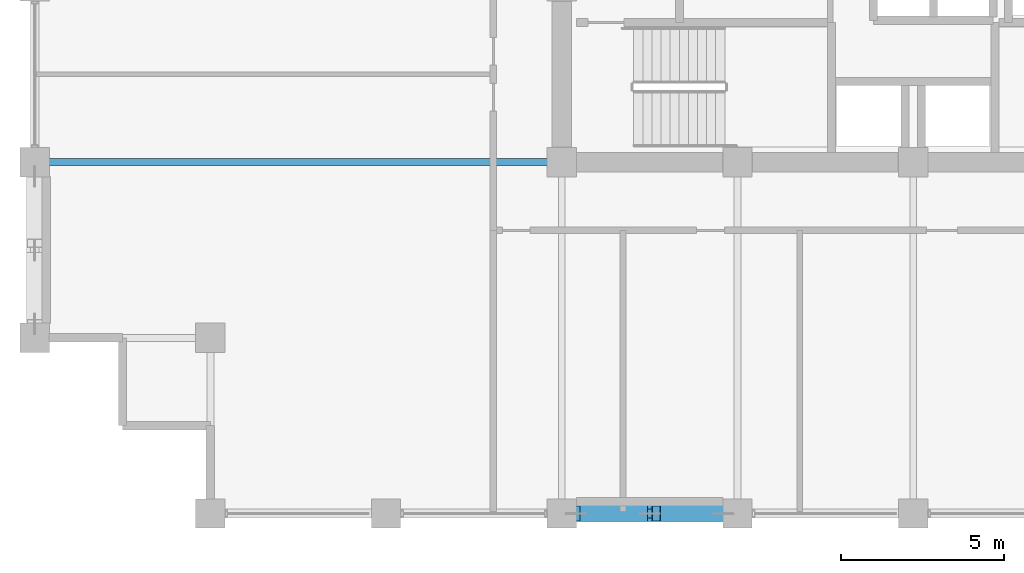
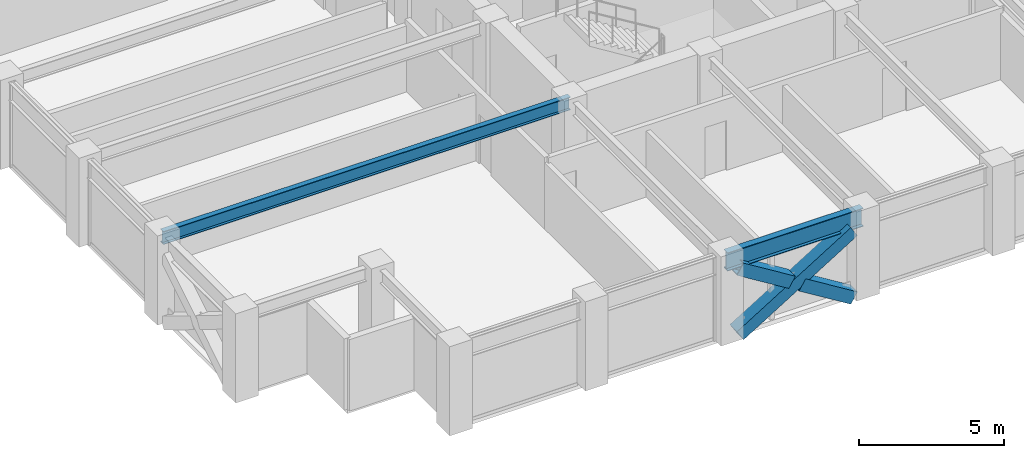
# One storey, part 5 of 32: 3 members, 2 beams.
"""IFC4 building model written with IfcOpenShell, lengths in metres."""

import ifcopenshell
import ifcopenshell.guid

model = None  # the IFC model being written
_history = None  # IfcOwnerHistory: only IFC2X3 demands one
_inside = {}  # id of a spatial element -> (the spatial element, [elements in it])
_under = {}  # id of a project, library or spatial element -> (it, [spatial elements below it])
_declared = {}  # id of a project -> (the project, [libraries it declares])
_typed = {}  # id of a type object -> (the type object, [elements of that type])
_made_of = {}  # id of a material, layer set ... -> (it, [elements and type objects made of it])


def new_model(schema):
    """Start an empty IFC model of exactly this schema.

    Asked for "IFC4X3", IfcOpenShell would pick the latest addendum, in which some entities
    have other attributes; the version numbers below select the first issue.
    IFC2X3 requires an IfcOwnerHistory on every rooted entity: one is made here for all.
    """
    global model, _history
    if schema == "IFC4X3":
        model = ifcopenshell.file(schema_version=(4, 3, 0, 0))
    else:
        model = ifcopenshell.file(schema=schema)
    _inside.clear()
    _under.clear()
    _declared.clear()
    _typed.clear()
    _made_of.clear()
    _history = None
    if model.schema == "IFC2X3":
        org = make("IfcOrganization", Name="unknown")
        user = make(
            "IfcPersonAndOrganization",
            ThePerson=make("IfcPerson", FamilyName="unknown"),
            TheOrganization=org,
        )
        app = make(
            "IfcApplication",
            ApplicationDeveloper=org,
            Version="unknown",
            ApplicationFullName="unknown",
            ApplicationIdentifier="unknown",
        )
        _history = make(
            "IfcOwnerHistory",
            OwningUser=user,
            OwningApplication=app,
            ChangeAction="ADDED",
            CreationDate=0,
        )
    return model


def make(cls, **values):
    """One entity of the class cls with the attributes given. An attribute that is None is left unset."""
    return model.create_entity(
        cls, **{name: value for name, value in values.items() if value is not None}
    )


def rooted(cls, **values):
    """An entity with a GlobalId (a new one), such as an element, a storey or a relation."""
    return make(cls, GlobalId=ifcopenshell.guid.new(), OwnerHistory=_history, **values)


def si_unit(unit_type, name, prefix=None):
    """IfcSIUnit, for example si_unit("LENGTHUNIT", "METRE", prefix="MILLI")."""
    return make("IfcSIUnit", UnitType=unit_type, Prefix=prefix, Name=name)


def assignment(units):
    """IfcUnitAssignment: the units of a project."""
    return None if units is None else make("IfcUnitAssignment", Units=units)


def point(xyz):
    """IfcCartesianPoint."""
    return None if xyz is None else make("IfcCartesianPoint", Coordinates=xyz)


def direction(xyz):
    """IfcDirection."""
    return None if xyz is None else make("IfcDirection", DirectionRatios=xyz)


def frame(location, z_axis=None, x_axis=None):
    """IfcAxis2Placement3D, a coordinate frame: its origin and axes. An axis left out is left unset."""
    return make(
        "IfcAxis2Placement3D",
        Location=point(location),
        Axis=direction(z_axis),
        RefDirection=direction(x_axis),
    )


def frame_2d(location, x_axis=None):
    """IfcAxis2Placement2D, a coordinate frame in the plane: its origin and x axis."""
    return make(
        "IfcAxis2Placement2D", Location=point(location), RefDirection=direction(x_axis)
    )


def origin():
    """The frame at (0, 0, 0) with its axes left unset."""
    return frame((0.0, 0.0, 0.0))


def origin_2d():
    """The frame at (0, 0) in the plane with its x axis left unset."""
    return frame_2d((0.0, 0.0))


def place(relative_to, where):
    """IfcLocalPlacement: puts the frame where relative to a parent placement (None: the world)."""
    return make(
        "IfcLocalPlacement", PlacementRelTo=relative_to, RelativePlacement=where
    )


def context(
    kind, dimensions, precision=None, world=None, true_north=None, identifier=None
):
    """IfcGeometricRepresentationContext, for example the 3D "Model" context."""
    return make(
        "IfcGeometricRepresentationContext",
        ContextIdentifier=identifier,
        ContextType=kind,
        CoordinateSpaceDimension=dimensions,
        Precision=precision,
        WorldCoordinateSystem=world,
        TrueNorth=true_north,
    )


def subcontext(parent, identifier, kind, view, scale=None):
    """IfcGeometricRepresentationSubContext, for example "Body" below "Model"."""
    return make(
        "IfcGeometricRepresentationSubContext",
        ContextIdentifier=identifier,
        ContextType=kind,
        ParentContext=parent,
        TargetScale=scale,
        TargetView=view,
    )


def project(units=None, contexts=None):
    """IfcProject with its units and contexts."""
    return rooted(
        "IfcProject",
        Name="project",
        RepresentationContexts=contexts,
        UnitsInContext=assignment(units),
    )


def spatial(cls, under=None, at=None, **own):
    """A site, building, storey or space (cls), placed at a placement, below another one or the project."""
    s = rooted(cls, ObjectPlacement=at, **own)
    if under is not None:
        _under.setdefault(under.id(), (under, []))[1].append(s)
    return s


def profile(cls, at=None, kind="AREA", **sizes):
    """A parametric profile (cls). Its sizes go by their IFC names, for example OverallWidth=200.0."""
    return make(cls, ProfileType=kind, Position=at, **sizes)


def hollow_rectangle(**sizes):
    """IfcRectangleHollowProfileDef."""
    return profile("IfcRectangleHollowProfileDef", **sizes)


def i_section(**sizes):
    """IfcIShapeProfileDef."""
    return profile("IfcIShapeProfileDef", **sizes)


def extrude(swept, where, along, depth):
    """IfcExtrudedAreaSolid: the profile swept, set in the frame where, extruded along a direction by depth."""
    return make(
        "IfcExtrudedAreaSolid",
        SweptArea=swept,
        Position=where,
        ExtrudedDirection=direction(along),
        Depth=depth,
    )


def shape(context_of_items, identifier, shape_type, items):
    """IfcShapeRepresentation: the items that make up one representation, for example the "Body"."""
    return make(
        "IfcShapeRepresentation",
        ContextOfItems=context_of_items,
        RepresentationIdentifier=identifier,
        RepresentationType=shape_type,
        Items=items,
    )


def material(Name=None, Category=None):
    """IfcMaterial."""
    return make("IfcMaterial", Name=Name, Category=Category)


def material_profile(
    of_material, cross_section, Name=None, Category=None, Priority=None
):
    """IfcMaterialProfile: a cross section and its material."""
    return make(
        "IfcMaterialProfile",
        Name=Name,
        Material=of_material,
        Profile=cross_section,
        Priority=Priority,
        Category=Category,
    )


def profile_set(profiles, Name=None, composite=None):
    """IfcMaterialProfileSet."""
    return make(
        "IfcMaterialProfileSet",
        Name=Name,
        MaterialProfiles=profiles,
        CompositeProfile=composite,
    )


def made_of(thing, what):
    """Note that an element or type object is made of a material, layer set ...; save() writes the relation."""
    if what is not None:
        _made_of.setdefault(what.id(), (what, []))[1].append(thing)
    return thing


def type_object(cls, material=None, **own):
    """A type object (cls), such as IfcWallType, which elements share."""
    return made_of(rooted(cls, **own), material)


def element(
    cls,
    number,
    at=None,
    inside=None,
    cuts=None,
    type_object=None,
    material=None,
    context=None,
    identifier="Body",
    shape_type=None,
    held_by="IfcProductDefinitionShape",
    body=None,
    shapes=None,
    **own,
):
    """One element of the class cls, such as IfcWall. Its Tag is "e" and its number.

    at: its placement. inside: the storey or other place that contains it. cuts: it is an
    opening in that element (IfcRelVoidsElement). A single representation is given by context,
    identifier, shape_type and body (its items); several are given by shapes. held_by: the class
    of the entity that holds the representations. save() writes the other relations.
    """
    e = rooted(cls, Tag="e%d" % number, ObjectPlacement=at, **own)
    if body is not None:
        shapes = [shape(context, identifier, shape_type, body)]
    if shapes is not None:
        e.Representation = make(held_by, Representations=shapes)
    if inside is not None:
        _inside.setdefault(inside.id(), (inside, []))[1].append(e)
    if cuts is not None:
        rooted(
            "IfcRelVoidsElement", RelatingBuildingElement=cuts, RelatedOpeningElement=e
        )
    if type_object is not None:
        _typed.setdefault(type_object.id(), (type_object, []))[1].append(e)
    return made_of(e, material)


def aggregate(whole, parts):
    """IfcRelAggregates: a whole, such as a stair, and the parts it consists of."""
    return rooted("IfcRelAggregates", RelatingObject=whole, RelatedObjects=parts)


def save(model, path):
    """Write the relations noted so far, then the file.

    IfcRelAggregates (storeys below a building ...), IfcRelContainedInSpatialStructure (elements
    in a storey), IfcRelDefinesByType, IfcRelAssociatesMaterial and IfcRelDeclares: one each for
    every whole, place, type object, material and project.
    """
    for whole, parts in _under.values():
        aggregate(whole, parts)
    for where, things in _inside.values():
        rooted(
            "IfcRelContainedInSpatialStructure",
            RelatedElements=things,
            RelatingStructure=where,
        )
    for kind, things in _typed.values():
        rooted("IfcRelDefinesByType", RelatedObjects=things, RelatingType=kind)
    for what, things in _made_of.values():
        rooted("IfcRelAssociatesMaterial", RelatedObjects=things, RelatingMaterial=what)
    for by, libraries in _declared.values():
        rooted("IfcRelDeclares", RelatingContext=by, RelatedDefinitions=libraries)
    model.write(path)


model = new_model("IFC4")

# Units and contexts
model_context = context("Model", 3, precision=1e-05, world=origin(), true_north=direction((0.0, 1.0)))
body_context = subcontext(model_context, "Body", "Model", "MODEL_VIEW")
ifc_project = project(units=[si_unit("LENGTHUNIT", "METRE"), si_unit("AREAUNIT", "SQUARE_METRE"), si_unit("VOLUMEUNIT", "CUBIC_METRE"), si_unit("PLANEANGLEUNIT", "RADIAN"), si_unit("MASSUNIT", "GRAM", prefix="KILO")], contexts=[model_context])

# Site, building, storey
site_placement = place(None, origin())
site = spatial("IfcSite", under=ifc_project, at=site_placement, CompositionType="ELEMENT")
building_placement = place(site_placement, origin())
building = spatial("IfcBuilding", under=site, at=building_placement, Name="Surkhivell Harbour Commons", CompositionType="ELEMENT")
storey_placement = place(building_placement, frame((0.0, 0.0, 204.75)))
storey = spatial("IfcBuildingStorey", under=building, at=storey_placement, Name="L53", CompositionType="ELEMENT", Elevation=204.75)

# Beams
ifc_material_1 = material(Name="Steel S355", Category="steel")
ifc_material_profile_1 = material_profile(ifc_material_1, i_section(OverallWidth=0.2119140625, OverallDepth=0.5439453125, WebThickness=0.0126953125, FlangeThickness=0.021240234375, at=origin_2d()), Name="UB533x210x122")
ifc_profile_set_1 = profile_set([ifc_material_profile_1], Name="Steel S355")
beam_type_1 = type_object("IfcBeamType", Name="BM-GRD-533A", PredefinedType="BEAM", material=ifc_profile_set_1)
beam_1_placement = place(storey_placement, frame((-27.0, -10.800048828125, 3.298095703125), z_axis=(1.0, 0.0, 0.0), x_axis=(0.0, 1.0, 0.0)))
element("IfcBeam", 1, at=beam_1_placement, inside=storey, type_object=beam_type_1, Name="L53 Floor Girder (-27.0,-10.8)", PredefinedType="BEAM", context=body_context, shape_type="SweptSolid", body=[
    extrude(i_section(OverallWidth=0.2119140625, OverallDepth=0.5439453125, WebThickness=0.0126953125, FlangeThickness=0.021240234375, at=origin_2d()), origin(), (0.0, 0.0, 1.0), 16.199951171875),
])
ifc_material_profile_2 = material_profile(ifc_material_1, i_section(OverallWidth=0.26806640625, OverallDepth=0.77001953125, WebThickness=0.015625, FlangeThickness=0.025390625, at=origin_2d()), Name="UB762x267x197")
ifc_profile_set_2 = profile_set([ifc_material_profile_2], Name="Steel S355")
beam_type_2 = type_object("IfcBeamType", Name="BM-SPN-762", PredefinedType="SPANDREL", material=ifc_profile_set_2)
beam_2_placement = place(storey_placement, frame((-10.800048828125, -21.60009765625, 3.18505859375), z_axis=(1.0, 0.0, 0.0), x_axis=(0.0, 1.0, 0.0)))
element("IfcBeam", 2, at=beam_2_placement, inside=storey, type_object=beam_type_2, Name="L53 Tube Spandrel (-10.8,-21.6)", PredefinedType="SPANDREL", context=body_context, shape_type="SweptSolid", body=[
    extrude(i_section(OverallWidth=0.26806640625, OverallDepth=0.77001953125, WebThickness=0.015625, FlangeThickness=0.025390625, at=origin_2d()), origin(), (0.0, 0.0, 1.0), 5.400146484375),
])

# Members
ifc_material_2 = material(Name="Steel S460", Category="steel")
ifc_material_profile_3 = material_profile(ifc_material_2, hollow_rectangle(XDim=0.5, YDim=0.5, WallThickness=0.02490234375, at=origin_2d()), Name="SHS500x500x25")
ifc_profile_set_3 = profile_set([ifc_material_profile_3], Name="Steel S460")
member_type = type_object("IfcMemberType", Name="MEM-BRC-SHS500", PredefinedType="BRACE", material=ifc_profile_set_3)
member_placement = place(storey_placement, frame((-10.364990234375, -21.60009765625, 0.008056640625), z_axis=(0.850971032488, 0.0, 0.525212625387), x_axis=(0.0, 1.0, 0.0)))
element("IfcMember", 3, at=member_placement, inside=storey, type_object=member_type, Name="L53 Perimeter Mega-Brace MB- 07", PredefinedType="BRACE", context=body_context, shape_type="SweptSolid", body=[
    extrude(hollow_rectangle(XDim=0.5, YDim=0.5, WallThickness=0.02490234375, at=origin_2d()), origin(), (0.0, 0.0, 1.0), 5.323486328125),
])
for number, where, z_axis, x_axis, name in (
    (4, (-5.8349609375, -21.60009765625, 0.008056640625), (-0.8510034189, 0.0, 0.525160147974), (0.0, -1.0, 0.0), "L53 Perimeter Mega-Brace MB- 08"),
    (5, (-8.30419921875, -21.60009765625, 1.531982421875), (-0.850958361341, 0.0, 0.525233155146), (0.0, -1.0, 0.0), "L53 Perimeter Mega-Brace MB- 09"),
):
    element("IfcMember", number, at=place(storey_placement, frame(where, z_axis=z_axis, x_axis=x_axis)), inside=storey, type_object=member_type, Name=name, PredefinedType="BRACE", context=body_context, shape_type="SweptSolid", body=[
        extrude(hollow_rectangle(XDim=0.5, YDim=0.5, WallThickness=0.02490234375, at=origin_2d()), origin(), (0.0, 0.0, 1.0), 2.421630859375),
    ])

save(model, "model.ifc")
